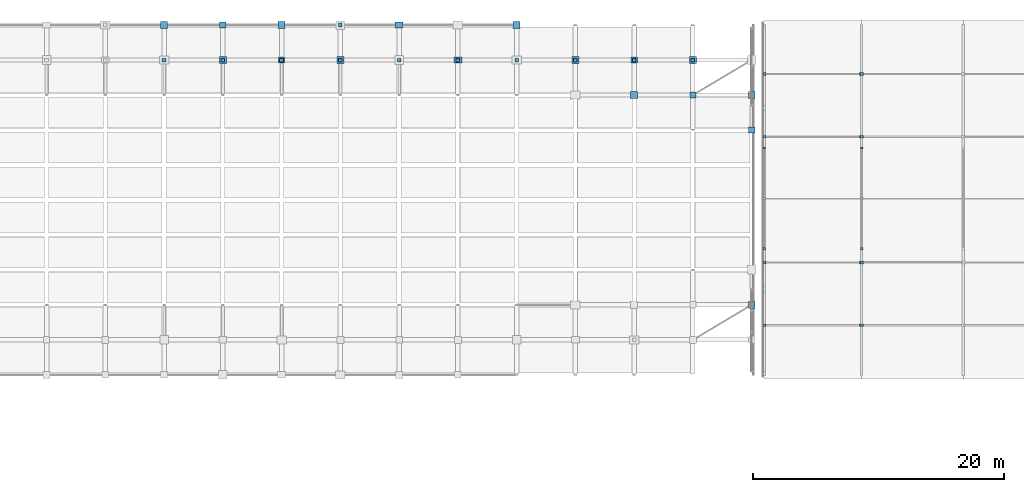
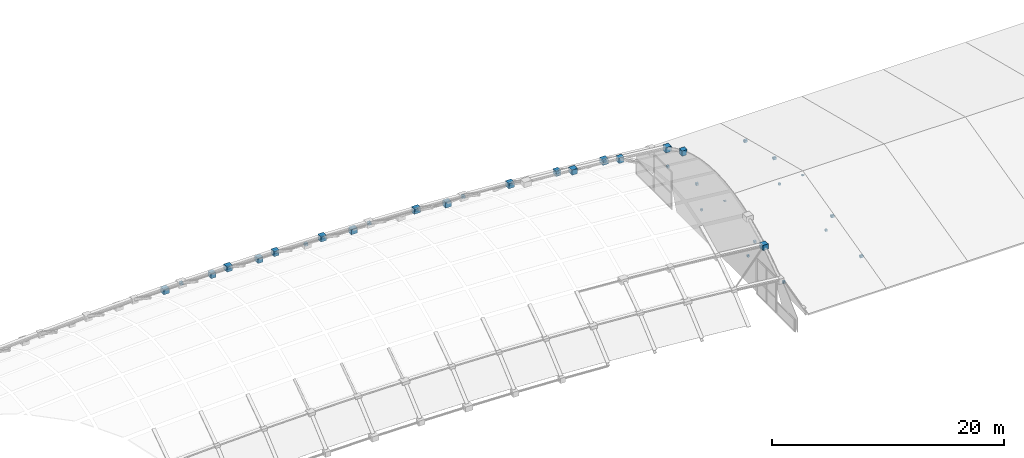
# One storey, part 50 of 65: 46 plates.
"""IFC4 building model written with IfcOpenShell, lengths in metres."""

from ifc_helpers import new_model, si_unit, direction, frame, origin, origin_2d, place, context, subcontext, project, spatial, rectangle, extrude, material, layer, layer_set, type_object, element, save


model = new_model("IFC4")

# Units and contexts
model_context = context("Model", 3, precision=1e-05, world=origin(), true_north=direction((0.0, 1.0)))
body_context = subcontext(model_context, "Body", "Model", "MODEL_VIEW")
ifc_project = project(units=[si_unit("LENGTHUNIT", "METRE"), si_unit("AREAUNIT", "SQUARE_METRE"), si_unit("VOLUMEUNIT", "CUBIC_METRE"), si_unit("PLANEANGLEUNIT", "RADIAN"), si_unit("MASSUNIT", "GRAM", prefix="KILO")], contexts=[model_context])

# Site, building, storey
site_placement = place(None, origin())
site = spatial("IfcSite", under=ifc_project, at=site_placement, CompositionType="ELEMENT")
building_placement = place(site_placement, origin())
building = spatial("IfcBuilding", under=site, at=building_placement, Name="Quillay Park Conservatory", CompositionType="ELEMENT")
storey_placement = place(building_placement, frame((0.0, 0.0, 14.10009765625)))
storey = spatial("IfcBuildingStorey", under=building, at=storey_placement, Name="L03", CompositionType="ELEMENT", Elevation=14.10009765625)

# Plates
ifc_material_1 = material(Name="Steel S355J2H", Category="steel")
ifc_layer_1 = layer(ifc_material_1, 0.031982421875)
ifc_layer_set_1 = layer_set([ifc_layer_1], Name="BOLTED GUSSET NODE PLATE GN01 (Steel S355J2H)")
plate_type_1 = type_object("IfcPlateType", Name="BOLTED GUSSET NODE PLATE GN01", PredefinedType="USERDEFINED", material=ifc_layer_set_1)
for number, where, z_axis, x_axis, name in (
    (1, (68.072265625, 113.39990234375, 0.566162109375), (0.0, 0.0, 1.0), (1.0, 0.0, 0.0), "Conservatory gridshell star node GN01 (8,10)"),
    (2, (72.75, 110.614990234375, 2.999755859375), (0.0, 0.0, 1.0), (1.0, 0.0, 0.0), "Conservatory gridshell star node GN01 (9,9)"),
    (3, (96.138916015625, 113.39990234375, -0.133056640625), (0.0, 0.0, 1.0), (1.0, 0.0, 0.0), "Conservatory gridshell star node GN01 (14,10)"),
    (4, (100.816650390625, 110.614990234375, 1.948974609375), (0.0, 0.0, 1.0), (1.0, 0.0, 0.0), "Conservatory gridshell star node GN01 (15,9)"),
    (5, (105.494384765625, 107.830078125, 3.429443359375), (0.0, 0.0, 1.0), (1.0, 0.0, 0.0), "Conservatory gridshell star node GN01 (16,8)"),
):
    element("IfcPlate", number, at=place(storey_placement, frame(where, z_axis=z_axis, x_axis=x_axis)), inside=storey, type_object=plate_type_1, Name=name, ObjectType="GUSSET PLATE", PredefinedType="USERDEFINED", context=body_context, shape_type="SweptSolid", body=[
        extrude(rectangle(XDim=0.56005859375, YDim=0.56005859375, at=origin_2d()), origin(), (0.0, 0.0, 1.0), 0.5400390625),
    ])
ifc_material_2 = material(Name="Steel S355J2H", Category="steel")
ifc_layer_2 = layer(ifc_material_2, 0.035888671875)
ifc_layer_set_2 = layer_set([ifc_layer_2], Name="BOLTED GUSSET NODE PLATE GN02 (Steel S355J2H)")
plate_type_2 = type_object("IfcPlateType", Name="BOLTED GUSSET NODE PLATE GN02", PredefinedType="USERDEFINED", material=ifc_layer_set_2)
for number, where, z_axis, x_axis, name in (
    (6, (72.75, 113.39990234375, 0.597412109375), (0.0, 0.0, 1.0), (1.0, 0.0, 0.0), "Conservatory gridshell star node GN02 (9,10)"),
    (7, (77.427734375, 110.614990234375, 2.968505859375), (0.0, 0.0, 1.0), (1.0, 0.0, 0.0), "Conservatory gridshell star node GN02 (10,9)"),
    (8, (105.494384765625, 110.614990234375, 1.570068359375), (0.0, 0.0, 1.0), (1.0, 0.0, 0.0), "Conservatory gridshell star node GN02 (16,9)"),
    (9, (110.172119140625, 107.830078125, 2.991943359375), (0.0, 0.0, 1.0), (1.0, 0.0, 0.0), "Conservatory gridshell star node GN02 (17,8)"),
    (10, (114.85009765625, 105.044921875, 3.820068359375), (0.0, 0.0, 1.0), (1.0, 0.0, 0.0), "Conservatory gridshell star node GN02 (18,7)"),
):
    element("IfcPlate", number, at=place(storey_placement, frame(where, z_axis=z_axis, x_axis=x_axis)), inside=storey, type_object=plate_type_2, Name=name, ObjectType="GUSSET PLATE", PredefinedType="USERDEFINED", context=body_context, shape_type="SweptSolid", body=[
        extrude(rectangle(XDim=0.5, YDim=0.5, at=origin_2d()), origin(), (0.0, 0.0, 1.0), 0.5400390625),
    ])
ifc_material_3 = material(Name="Steel S355J2H", Category="steel")
ifc_layer_3 = layer(ifc_material_3, 0.0400390625)
ifc_layer_set_3 = layer_set([ifc_layer_3], Name="BOLTED GUSSET NODE PLATE GN03 (Steel S355J2H)")
plate_type_3 = type_object("IfcPlateType", Name="BOLTED GUSSET NODE PLATE GN03", PredefinedType="USERDEFINED", material=ifc_layer_set_3)
for number, where, z_axis, x_axis, name in (
    (11, (77.427734375, 113.39990234375, 0.566162109375), (0.0, 0.0, 1.0), (1.0, 0.0, 0.0), "Conservatory gridshell star node GN03 (10,10)"),
    (12, (82.105712890625, 110.614990234375, 2.882568359375), (0.0, 0.0, 1.0), (1.0, 0.0, 0.0), "Conservatory gridshell star node GN03 (11,9)"),
    (13, (110.172119140625, 110.614990234375, 1.132568359375), (0.0, 0.0, 1.0), (1.0, 0.0, 0.0), "Conservatory gridshell star node GN03 (17,9)"),
    (14, (114.85009765625, 91.1201171875, 2.351318359375), (0.0, 0.0, 1.0), (1.0, 0.0, 0.0), "Conservatory gridshell star node GN03 (18,2)"),
    (15, (114.85009765625, 107.830078125, 2.495849609375), (0.0, 0.0, 1.0), (1.0, 0.0, 0.0), "Conservatory gridshell star node GN03 (18,8)"),
):
    element("IfcPlate", number, at=place(storey_placement, frame(where, z_axis=z_axis, x_axis=x_axis)), inside=storey, type_object=plate_type_3, Name=name, ObjectType="GUSSET PLATE", PredefinedType="USERDEFINED", context=body_context, shape_type="SweptSolid", body=[
        extrude(rectangle(XDim=0.5400390625, YDim=0.5400390625, at=origin_2d()), origin(), (0.0, 0.0, 1.0), 0.5400390625),
    ])
ifc_material_4 = material(Name="Steel S355J2H", Category="steel")
ifc_layer_4 = layer(ifc_material_4, 0.048095703125)
ifc_layer_set_4 = layer_set([ifc_layer_4], Name="BOLTED GUSSET NODE PLATE GN05 (Steel S355J2H)")
plate_type_4 = type_object("IfcPlateType", Name="BOLTED GUSSET NODE PLATE GN05", PredefinedType="USERDEFINED", material=ifc_layer_set_4)
for number, where, z_axis, x_axis, name in (
    (16, (86.783203125, 113.39990234375, 0.331787109375), (0.0, 0.0, 1.0), (1.0, 0.0, 0.0), "Conservatory gridshell star node GN05 (12,10)"),
    (17, (91.461181640625, 110.614990234375, 2.531005859375), (0.0, 0.0, 1.0), (1.0, 0.0, 0.0), "Conservatory gridshell star node GN05 (13,9)"),
):
    element("IfcPlate", number, at=place(storey_placement, frame(where, z_axis=z_axis, x_axis=x_axis)), inside=storey, type_object=plate_type_4, Name=name, ObjectType="GUSSET PLATE", PredefinedType="USERDEFINED", context=body_context, shape_type="SweptSolid", body=[
        extrude(rectangle(XDim=0.6201171875, YDim=0.5, at=origin_2d()), origin(), (0.0, 0.0, 1.0), 0.5400390625),
    ])
ifc_material_5 = material(Name="Steel S355J2H", Category="steel")
ifc_layer_5 = layer(ifc_material_5, 0.02001953125)
ifc_layer_set_5 = layer_set([ifc_layer_5], Name="HOLLOW END CAP PLATE 190 (Steel S355J2H)")
plate_type_5 = type_object("IfcPlateType", Name="HOLLOW END CAP PLATE 190", PredefinedType="USERDEFINED", material=ifc_layer_set_5)
plate_1_placement = place(storey_placement, frame((115.85009765625, 99.60009765625, 1.8330078125), z_axis=(0.0, 0.0, 1.0), x_axis=(1.0, 0.0, 0.0)))
element("IfcPlate", 18, at=plate_1_placement, inside=storey, type_object=plate_type_5, Name="Hollow steel end cap ECP-0205", ObjectType="FLANGE PLATE", PredefinedType="USERDEFINED", context=body_context, shape_type="SweptSolid", body=[
    extrude(rectangle(XDim=0.195068359375, YDim=0.195068359375, at=origin_2d()), origin(), (0.0, 0.0, 1.0), 0.055908203125),
])
for number, where, z_axis, x_axis, name in (
    (19, (115.85009765625, 95.591552734375, -1.60400390625), (0.0, 0.0, 1.0), (1.0, 0.0, 0.0), "Hollow steel end cap ECP-0206"),
    (20, (115.85009765625, 103.6083984375, -1.60400390625), (0.0, 0.0, 1.0), (1.0, 0.0, 0.0), "Hollow steel end cap ECP-0207"),
):
    element("IfcPlate", number, at=place(storey_placement, frame(where, z_axis=z_axis, x_axis=x_axis)), inside=storey, type_object=plate_type_5, Name=name, ObjectType="FLANGE PLATE", PredefinedType="USERDEFINED", context=body_context, shape_type="SweptSolid", body=[
        extrude(rectangle(XDim=0.195068359375, YDim=0.195068359375, at=origin_2d()), origin(), (0.0, 0.0, 1.0), 0.194091796875),
    ])
plate_2_placement = place(storey_placement, frame((123.60009765625, 99.60009765625, 1.8330078125), z_axis=(0.0, 0.0, 1.0), x_axis=(1.0, 0.0, 0.0)))
element("IfcPlate", 21, at=plate_2_placement, inside=storey, type_object=plate_type_5, Name="Hollow steel end cap ECP-0211", ObjectType="FLANGE PLATE", PredefinedType="USERDEFINED", context=body_context, shape_type="SweptSolid", body=[
    extrude(rectangle(XDim=0.195068359375, YDim=0.195068359375, at=origin_2d()), origin(), (0.0, 0.0, 1.0), 0.055908203125),
])
for number, where, z_axis, x_axis, name in (
    (22, (123.60009765625, 95.591552734375, -1.60400390625), (0.0, 0.0, 1.0), (1.0, 0.0, 0.0), "Hollow steel end cap ECP-0212"),
    (23, (123.60009765625, 103.6083984375, -1.60400390625), (0.0, 0.0, 1.0), (1.0, 0.0, 0.0), "Hollow steel end cap ECP-0213"),
):
    element("IfcPlate", number, at=place(storey_placement, frame(where, z_axis=z_axis, x_axis=x_axis)), inside=storey, type_object=plate_type_5, Name=name, ObjectType="FLANGE PLATE", PredefinedType="USERDEFINED", context=body_context, shape_type="SweptSolid", body=[
        extrude(rectangle(XDim=0.195068359375, YDim=0.195068359375, at=origin_2d()), origin(), (0.0, 0.0, 1.0), 0.194091796875),
    ])
ifc_material_6 = material(Name="Steel S355J2H", Category="steel")
ifc_layer_6 = layer(ifc_material_6, 0.02001953125)
ifc_layer_set_6 = layer_set([ifc_layer_6], Name="HOLLOW END CAP PLATE 220 X140 (Steel S355J2H)")
plate_type_6 = type_object("IfcPlateType", Name="HOLLOW END CAP PLATE 220 X140", PredefinedType="USERDEFINED", material=ifc_layer_set_6)
for number, where, z_axis, x_axis, name in (
    (24, (115.888916015625, 89.5, -0.68017578125), (0.0, 0.0, 1.0), (1.0, 0.0, 0.0), "Hollow steel end cap ECP-0162"),
    (25, (123.56103515625, 89.5, -0.68017578125), (0.0, 0.0, 1.0), (1.0, 0.0, 0.0), "Hollow steel end cap ECP-0163"),
    (26, (115.888916015625, 94.5, 0.51171875), (0.0, 0.0, 1.0), (1.0, 0.0, 0.0), "Hollow steel end cap ECP-0164"),
    (27, (123.56103515625, 94.5, 0.51171875), (0.0, 0.0, 1.0), (1.0, 0.0, 0.0), "Hollow steel end cap ECP-0165"),
    (28, (115.888916015625, 104.5, 0.53857421875), (0.0, 0.0, 1.0), (1.0, 0.0, 0.0), "Hollow steel end cap ECP-0166"),
    (29, (123.56103515625, 104.5, 0.53857421875), (0.0, 0.0, 1.0), (1.0, 0.0, 0.0), "Hollow steel end cap ECP-0167"),
    (30, (115.888916015625, 109.5, -0.67529296875), (0.0, 0.0, 1.0), (1.0, 0.0, 0.0), "Hollow steel end cap ECP-0168"),
    (31, (123.56103515625, 109.5, -0.67529296875), (0.0, 0.0, 1.0), (1.0, 0.0, 0.0), "Hollow steel end cap ECP-0169"),
    (32, (123.638916015625, 89.5, -0.68017578125), (0.0, 0.0, 1.0), (1.0, 0.0, 0.0), "Hollow steel end cap ECP-0170"),
    (33, (123.638916015625, 94.5, 0.51171875), (0.0, 0.0, 1.0), (1.0, 0.0, 0.0), "Hollow steel end cap ECP-0172"),
    (34, (123.638916015625, 104.5, 0.53857421875), (0.0, 0.0, 1.0), (1.0, 0.0, 0.0), "Hollow steel end cap ECP-0174"),
    (35, (123.638916015625, 109.5, -0.67529296875), (0.0, 0.0, 1.0), (1.0, 0.0, 0.0), "Hollow steel end cap ECP-0176"),
):
    element("IfcPlate", number, at=place(storey_placement, frame(where, z_axis=z_axis, x_axis=x_axis)), inside=storey, type_object=plate_type_6, Name=name, ObjectType="FLANGE PLATE", PredefinedType="USERDEFINED", context=body_context, shape_type="SweptSolid", body=[
        extrude(rectangle(XDim=0.219970703125, YDim=0.219970703125, at=origin_2d()), origin(), (0.0, 0.0, 1.0), 0.243896484375),
    ])
ifc_material_7 = material(Name="Steel S355J2H", Category="steel")
ifc_layer_7 = layer(ifc_material_7, 0.02392578125)
ifc_layer_set_7 = layer_set([ifc_layer_7], Name="HOLLOW END CAP PLATE 290 (Steel S355J2H)")
plate_type_7 = type_object("IfcPlateType", Name="HOLLOW END CAP PLATE 290", PredefinedType="USERDEFINED", material=ifc_layer_set_7)
for number, where, z_axis, x_axis, name in (
    (36, (68.072265625, 110.606689453125, 3.111328125), (0.0, 0.0, 1.0), (1.0, 0.0, 0.0), "Hollow steel end cap ECP-0148"),
    (37, (72.75, 110.606689453125, 3.142578125), (0.0, 0.0, 1.0), (1.0, 0.0, 0.0), "Hollow steel end cap ECP-0149"),
    (38, (77.427734375, 110.606689453125, 3.111328125), (0.0, 0.0, 1.0), (1.0, 0.0, 0.0), "Hollow steel end cap ECP-0150"),
    (39, (82.105712890625, 110.606689453125, 3.02587890625), (0.0, 0.0, 1.0), (1.0, 0.0, 0.0), "Hollow steel end cap ECP-0151"),
    (40, (82.105712890625, 113.408203125, 0.60888671875), (0.0, 0.0, 1.0), (1.0, 0.0, 0.0), "Hollow steel end cap ECP-0152"),
    (41, (86.783203125, 110.606689453125, 2.876953125), (0.0, 0.0, 1.0), (1.0, 0.0, 0.0), "Hollow steel end cap ECP-0153"),
    (42, (91.461181640625, 110.606689453125, 2.673828125), (0.0, 0.0, 1.0), (1.0, 0.0, 0.0), "Hollow steel end cap ECP-0154"),
    (43, (96.138916015625, 110.606689453125, 2.412109375), (0.0, 0.0, 1.0), (1.0, 0.0, 0.0), "Hollow steel end cap ECP-0155"),
    (44, (100.816650390625, 110.606689453125, 2.09228515625), (0.0, 0.0, 1.0), (1.0, 0.0, 0.0), "Hollow steel end cap ECP-0156"),
    (45, (105.494384765625, 110.606689453125, 1.71337890625), (0.0, 0.0, 1.0), (1.0, 0.0, 0.0), "Hollow steel end cap ECP-0158"),
    (46, (110.172119140625, 110.606689453125, 1.27587890625), (0.0, 0.0, 1.0), (1.0, 0.0, 0.0), "Hollow steel end cap ECP-0159"),
):
    element("IfcPlate", number, at=place(storey_placement, frame(where, z_axis=z_axis, x_axis=x_axis)), inside=storey, type_object=plate_type_7, Name=name, ObjectType="FLANGE PLATE", PredefinedType="USERDEFINED", context=body_context, shape_type="SweptSolid", body=[
        extrude(rectangle(XDim=0.294921875, YDim=0.294921875, at=origin_2d()), origin(), (0.0, 0.0, 1.0), 0.268310546875),
    ])

save(model, "model.ifc")
